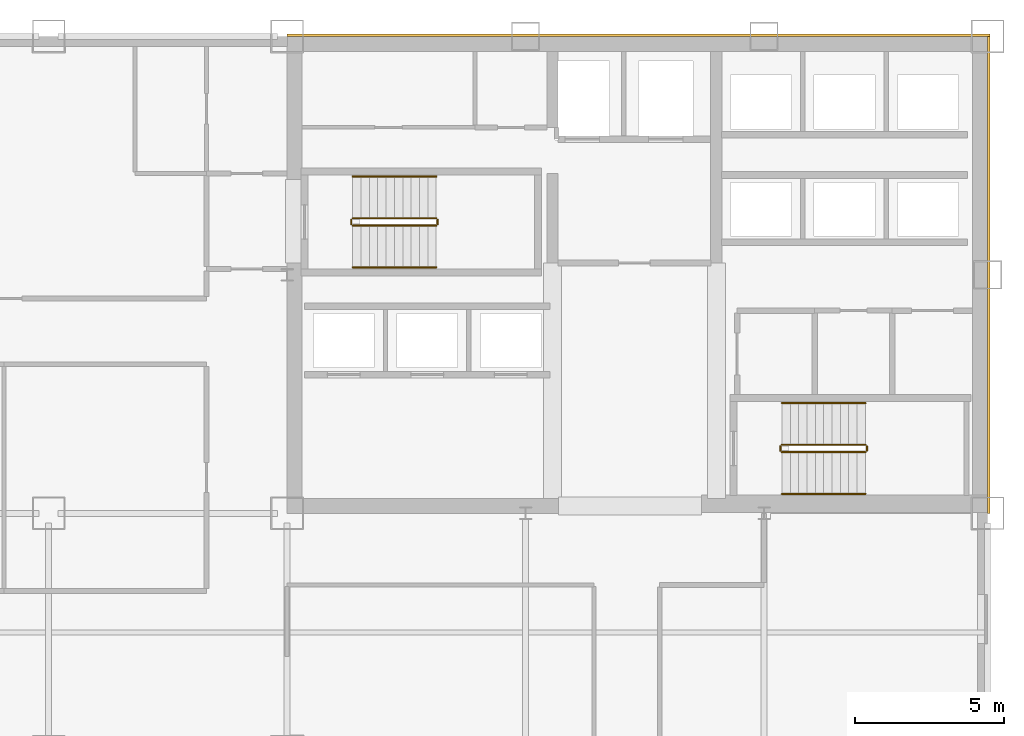
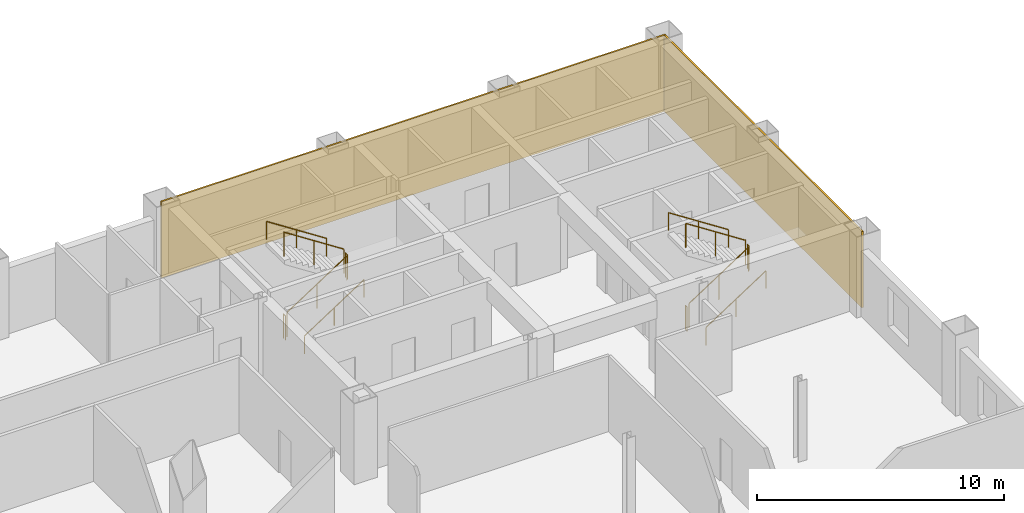
# One storey, part 9 of 9: 12 railings, 2 coverings.
"""IFC4 building model written with IfcOpenShell, lengths in metres."""

from ifc_helpers import new_model, si_unit, direction, frame, origin, origin_2d, place, context, subcontext, project, spatial, rectangle, circle, extrude, material, layer, layer_set, type_object, element, save


model = new_model("IFC4")

# Units and contexts
model_context = context("Model", 3, precision=1e-05, world=origin(), true_north=direction((0.0, 1.0)))
body_context = subcontext(model_context, "Body", "Model", "MODEL_VIEW")
ifc_project = project(units=[si_unit("LENGTHUNIT", "METRE"), si_unit("AREAUNIT", "SQUARE_METRE"), si_unit("VOLUMEUNIT", "CUBIC_METRE"), si_unit("PLANEANGLEUNIT", "RADIAN"), si_unit("MASSUNIT", "GRAM", prefix="KILO")], contexts=[model_context])

# Site, building, storey
site_placement = place(None, origin())
site = spatial("IfcSite", under=ifc_project, at=site_placement, CompositionType="ELEMENT")
building_placement = place(site_placement, origin())
building = spatial("IfcBuilding", under=site, at=building_placement, Name="Qianrong Seaharbour Tower", CompositionType="ELEMENT")
storey_placement = place(building_placement, frame((0.0, 0.0, 143.0)))
storey = spatial("IfcBuildingStorey", under=building, at=storey_placement, Name="L34", CompositionType="ELEMENT", Elevation=143.0)

# Coverings
ifc_material_1 = material(Name="Unitised red brick cladding on Precast concrete C45/55", Category="masonry")
ifc_layer = layer(ifc_material_1, 0.080078125)
ifc_layer_set = layer_set([ifc_layer], Name="Unitised red brick cladding on Precast concrete C45/55")
covering_type = type_object("IfcCoveringType", Name="COV-CLAD-RED-BRICK-80", PredefinedType="CLADDING", material=ifc_layer_set)
covering_1_placement = place(storey_placement, frame((52.2900390625, 52.0400390625, 0.0), z_axis=(0.0, 0.0, 1.0), x_axis=(1.0, 0.0, 0.0)))
element("IfcCovering", 1, at=covering_1_placement, inside=storey, type_object=covering_type, Name="L34 North Core Brick Veneer Cladding", PredefinedType="CLADDING", context=body_context, shape_type="SweptSolid", body=[
    extrude(rectangle(XDim=23.580078125, YDim=0.080078125, at=origin_2d()), origin(), (0.0, 0.0, 1.0), 3.764892578125),
])
covering_2_placement = place(storey_placement, frame((64.0400390625, 44.0, 0.0), z_axis=(0.0, 0.0, 1.0), x_axis=(1.0, 0.0, 0.0)))
element("IfcCovering", 2, at=covering_2_placement, inside=storey, type_object=covering_type, Name="L34 East Core Brick Veneer Cladding", PredefinedType="CLADDING", context=body_context, shape_type="SweptSolid", body=[
    extrude(rectangle(XDim=0.080078125, YDim=16.0, at=origin_2d()), origin(), (0.0, 0.0, 1.0), 3.764892578125),
])

# Railings
ifc_material_2 = material(Name="Galvanized painted steel SN400B stair guard", Category="steel")
railing_type_1 = type_object("IfcRailingType", Name="RAIL-STAIR-GUARD-1220", PredefinedType="GUARDRAIL", material=ifc_material_2)
railing_1_placement = place(storey_placement, frame((42.699951171875, 45.64990234375, 0.181884765625)))
element("IfcRailing", 3, at=railing_1_placement, inside=storey, type_object=railing_type_1, Name="L34 ST-1 stair guard 1", PredefinedType="GUARDRAIL", context=body_context, shape_type="SweptSolid", body=[
    extrude(circle(Radius=0.02392578125, at=origin_2d()), frame((0.0, 0.0, 1.19580078125), z_axis=(0.838705829183, 0.0, 0.544584733623), x_axis=(0.0, 1.0, 0.0)), (0.0, 0.0, 1.0), 3.338623046875),
    extrude(circle(Radius=0.02099609375, at=origin_2d()), origin(), (0.0, 0.0, 1.0), 1.171875),
    extrude(circle(Radius=0.02099609375, at=origin_2d()), frame((1.39990234375, 0.0, 0.9091796875)), (0.0, 0.0, 1.0), 1.171875),
    extrude(circle(Radius=0.02099609375, at=origin_2d()), frame((2.800048828125, 0.0, 1.818115234375)), (0.0, 0.0, 1.0), 1.171875),
])
railing_2_placement = place(storey_placement, frame((45.550048828125, 45.699951171875, 2.0)))
element("IfcRailing", 4, at=railing_2_placement, inside=storey, type_object=railing_type_1, Name="L34 ST-1 stair guard 2", PredefinedType="GUARDRAIL", context=body_context, shape_type="SweptSolid", body=[
    extrude(circle(Radius=0.02392578125, at=origin_2d()), frame((0.0, 0.0, 1.19580078125), z_axis=(0.0, 1.0, 0.0), x_axis=(-1.0, 0.0, 0.0)), (0.0, 0.0, 1.0), 0.150146484375),
    extrude(circle(Radius=0.02099609375, at=origin_2d()), origin(), (0.0, 0.0, 1.0), 1.171875),
    extrude(circle(Radius=0.02099609375, at=origin_2d()), frame((0.0, 0.150146484375, 0.0)), (0.0, 0.0, 1.0), 1.171875),
])
railing_3_placement = place(storey_placement, frame((45.5, 45.89990234375, 2.181884765625)))
element("IfcRailing", 5, at=railing_3_placement, inside=storey, type_object=railing_type_1, Name="L34 ST-1 stair guard 3", PredefinedType="GUARDRAIL", context=body_context, shape_type="SweptSolid", body=[
    extrude(circle(Radius=0.02392578125, at=origin_2d()), frame((0.0, 0.0, 1.19580078125), z_axis=(-0.838705829183, 0.0, 0.544584733623), x_axis=(0.0, -1.0, 0.0)), (0.0, 0.0, 1.0), 3.338623046875),
    extrude(circle(Radius=0.02099609375, at=origin_2d()), origin(), (0.0, 0.0, 1.0), 1.171875),
    extrude(circle(Radius=0.02099609375, at=origin_2d()), frame((-1.39990234375, 0.0, 0.9091796875)), (0.0, 0.0, 1.0), 1.171875),
    extrude(circle(Radius=0.02099609375, at=origin_2d()), frame((-2.800048828125, 0.0, 1.818115234375)), (0.0, 0.0, 1.0), 1.171875),
])
railing_4_placement = place(storey_placement, frame((42.64990234375, 45.699951171875, 0.0)))
element("IfcRailing", 6, at=railing_4_placement, inside=storey, type_object=railing_type_1, Name="L34 ST-1 stair guard 4", PredefinedType="GUARDRAIL", context=body_context, shape_type="SweptSolid", body=[
    extrude(circle(Radius=0.02392578125, at=origin_2d()), frame((0.0, 0.0, 1.19580078125), z_axis=(0.0, 1.0, 0.0), x_axis=(-1.0, 0.0, 0.0)), (0.0, 0.0, 1.0), 0.150146484375),
    extrude(circle(Radius=0.02099609375, at=origin_2d()), origin(), (0.0, 0.0, 1.0), 1.171875),
    extrude(circle(Radius=0.02099609375, at=origin_2d()), frame((0.0, 0.150146484375, 0.0)), (0.0, 0.0, 1.0), 1.171875),
])
railing_5_placement = place(storey_placement, frame((57.10009765625, 38.050048828125, 0.181884765625)))
element("IfcRailing", 7, at=railing_5_placement, inside=storey, type_object=railing_type_1, Name="L34 ST-2 stair guard 1", PredefinedType="GUARDRAIL", context=body_context, shape_type="SweptSolid", body=[
    extrude(circle(Radius=0.02392578125, at=origin_2d()), frame((0.0, 0.0, 1.19580078125), z_axis=(0.83868413941, 0.0, 0.544618136222), x_axis=(0.0, 1.0, 0.0)), (0.0, 0.0, 1.0), 3.33837890625),
    extrude(circle(Radius=0.02099609375, at=origin_2d()), origin(), (0.0, 0.0, 1.0), 1.171875),
    extrude(circle(Radius=0.02099609375, at=origin_2d()), frame((1.39990234375, 0.0, 0.9091796875)), (0.0, 0.0, 1.0), 1.171875),
    extrude(circle(Radius=0.02099609375, at=origin_2d()), frame((2.7998046875, 0.0, 1.818115234375)), (0.0, 0.0, 1.0), 1.171875),
])
railing_6_placement = place(storey_placement, frame((59.949951171875, 38.10009765625, 2.0)))
element("IfcRailing", 8, at=railing_6_placement, inside=storey, type_object=railing_type_1, Name="L34 ST-2 stair guard 2", PredefinedType="GUARDRAIL", context=body_context, shape_type="SweptSolid", body=[
    extrude(circle(Radius=0.02392578125, at=origin_2d()), frame((0.0, 0.0, 1.19580078125), z_axis=(0.0, 1.0, 0.0), x_axis=(-1.0, 0.0, 0.0)), (0.0, 0.0, 1.0), 0.14990234375),
    extrude(circle(Radius=0.02099609375, at=origin_2d()), origin(), (0.0, 0.0, 1.0), 1.171875),
    extrude(circle(Radius=0.02099609375, at=origin_2d()), frame((0.0, 0.14990234375, 0.0)), (0.0, 0.0, 1.0), 1.171875),
])
railing_7_placement = place(storey_placement, frame((59.89990234375, 38.300048828125, 2.181884765625)))
element("IfcRailing", 9, at=railing_7_placement, inside=storey, type_object=railing_type_1, Name="L34 ST-2 stair guard 3", PredefinedType="GUARDRAIL", context=body_context, shape_type="SweptSolid", body=[
    extrude(circle(Radius=0.02392578125, at=origin_2d()), frame((0.0, 0.0, 1.19580078125), z_axis=(-0.83868413941, 0.0, 0.544618136222), x_axis=(0.0, -1.0, 0.0)), (0.0, 0.0, 1.0), 3.33837890625),
    extrude(circle(Radius=0.02099609375, at=origin_2d()), origin(), (0.0, 0.0, 1.0), 1.171875),
    extrude(circle(Radius=0.02099609375, at=origin_2d()), frame((-1.39990234375, 0.0, 0.9091796875)), (0.0, 0.0, 1.0), 1.171875),
    extrude(circle(Radius=0.02099609375, at=origin_2d()), frame((-2.7998046875, 0.0, 1.818115234375)), (0.0, 0.0, 1.0), 1.171875),
])
railing_8_placement = place(storey_placement, frame((57.050048828125, 38.10009765625, 0.0)))
element("IfcRailing", 10, at=railing_8_placement, inside=storey, type_object=railing_type_1, Name="L34 ST-2 stair guard 4", PredefinedType="GUARDRAIL", context=body_context, shape_type="SweptSolid", body=[
    extrude(circle(Radius=0.02392578125, at=origin_2d()), frame((0.0, 0.0, 1.19580078125), z_axis=(0.0, 1.0, 0.0), x_axis=(-1.0, 0.0, 0.0)), (0.0, 0.0, 1.0), 0.14990234375),
    extrude(circle(Radius=0.02099609375, at=origin_2d()), origin(), (0.0, 0.0, 1.0), 1.171875),
    extrude(circle(Radius=0.02099609375, at=origin_2d()), frame((0.0, 0.14990234375, 0.0)), (0.0, 0.0, 1.0), 1.171875),
])
ifc_material_3 = material(Name="Stainless steel SUS316L continuous handrail", Category="steel")
railing_type_2 = type_object("IfcRailingType", Name="RAIL-STAIR-HANDRAIL-900", PredefinedType="HANDRAIL", material=ifc_material_3)
railing_9_placement = place(storey_placement, frame((42.699951171875, 44.25, 0.181884765625)))
element("IfcRailing", 11, at=railing_9_placement, inside=storey, type_object=railing_type_2, Name="L34 ST-1 stair handrail 1", PredefinedType="HANDRAIL", context=body_context, shape_type="SweptSolid", body=[
    extrude(circle(Radius=0.02392578125, at=origin_2d()), frame((0.0, 0.0, 0.8759765625), z_axis=(0.838705829183, 0.0, 0.544584733623), x_axis=(0.0, 1.0, 0.0)), (0.0, 0.0, 1.0), 3.338623046875),
    extrude(circle(Radius=0.02099609375, at=origin_2d()), origin(), (0.0, 0.0, 1.0), 0.851806640625),
    extrude(circle(Radius=0.02099609375, at=origin_2d()), frame((1.39990234375, 0.0, 0.9091796875)), (0.0, 0.0, 1.0), 0.851806640625),
    extrude(circle(Radius=0.02099609375, at=origin_2d()), frame((2.800048828125, 0.0, 1.818115234375)), (0.0, 0.0, 1.0), 0.851806640625),
])
railing_10_placement = place(storey_placement, frame((45.5, 47.300048828125, 2.181884765625)))
element("IfcRailing", 12, at=railing_10_placement, inside=storey, type_object=railing_type_2, Name="L34 ST-1 stair handrail 2", PredefinedType="HANDRAIL", context=body_context, shape_type="SweptSolid", body=[
    extrude(circle(Radius=0.02392578125, at=origin_2d()), frame((0.0, 0.0, 0.8759765625), z_axis=(-0.838705829183, 0.0, 0.544584733623), x_axis=(0.0, -1.0, 0.0)), (0.0, 0.0, 1.0), 3.338623046875),
    extrude(circle(Radius=0.02099609375, at=origin_2d()), origin(), (0.0, 0.0, 1.0), 0.851806640625),
    extrude(circle(Radius=0.02099609375, at=origin_2d()), frame((-1.39990234375, 0.0, 0.9091796875)), (0.0, 0.0, 1.0), 0.851806640625),
    extrude(circle(Radius=0.02099609375, at=origin_2d()), frame((-2.800048828125, 0.0, 1.818115234375)), (0.0, 0.0, 1.0), 0.851806640625),
])
railing_11_placement = place(storey_placement, frame((57.10009765625, 36.64990234375, 0.181884765625)))
element("IfcRailing", 13, at=railing_11_placement, inside=storey, type_object=railing_type_2, Name="L34 ST-2 stair handrail 1", PredefinedType="HANDRAIL", context=body_context, shape_type="SweptSolid", body=[
    extrude(circle(Radius=0.02392578125, at=origin_2d()), frame((0.0, 0.0, 0.8759765625), z_axis=(0.83868413941, 0.0, 0.544618136222), x_axis=(0.0, 1.0, 0.0)), (0.0, 0.0, 1.0), 3.33837890625),
    extrude(circle(Radius=0.02099609375, at=origin_2d()), origin(), (0.0, 0.0, 1.0), 0.851806640625),
    extrude(circle(Radius=0.02099609375, at=origin_2d()), frame((1.39990234375, 0.0, 0.9091796875)), (0.0, 0.0, 1.0), 0.851806640625),
    extrude(circle(Radius=0.02099609375, at=origin_2d()), frame((2.7998046875, 0.0, 1.818115234375)), (0.0, 0.0, 1.0), 0.851806640625),
])
railing_12_placement = place(storey_placement, frame((59.89990234375, 39.699951171875, 2.181884765625)))
element("IfcRailing", 14, at=railing_12_placement, inside=storey, type_object=railing_type_2, Name="L34 ST-2 stair handrail 2", PredefinedType="HANDRAIL", context=body_context, shape_type="SweptSolid", body=[
    extrude(circle(Radius=0.02392578125, at=origin_2d()), frame((0.0, 0.0, 0.8759765625), z_axis=(-0.83868413941, 0.0, 0.544618136222), x_axis=(0.0, -1.0, 0.0)), (0.0, 0.0, 1.0), 3.33837890625),
    extrude(circle(Radius=0.02099609375, at=origin_2d()), origin(), (0.0, 0.0, 1.0), 0.851806640625),
    extrude(circle(Radius=0.02099609375, at=origin_2d()), frame((-1.39990234375, 0.0, 0.9091796875)), (0.0, 0.0, 1.0), 0.851806640625),
    extrude(circle(Radius=0.02099609375, at=origin_2d()), frame((-2.7998046875, 0.0, 1.818115234375)), (0.0, 0.0, 1.0), 0.851806640625),
])

save(model, "model.ifc")
